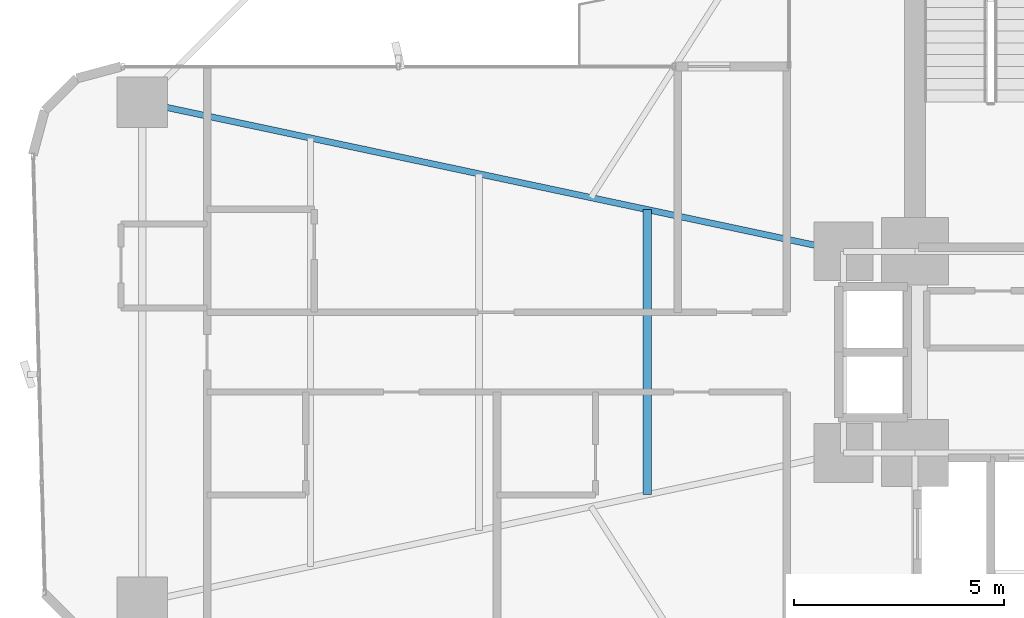
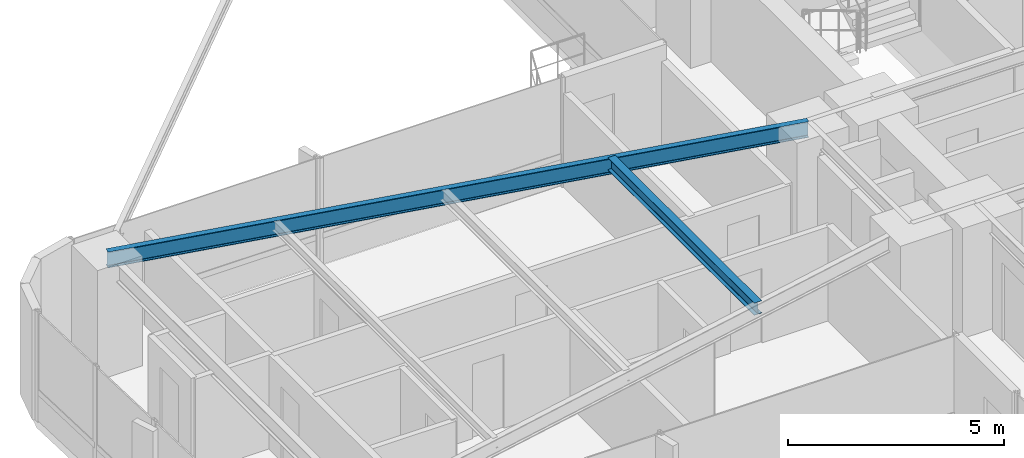
# One storey, part 9 of 26: 2 beams.
"""IFC4 building model written with IfcOpenShell, lengths in metres."""

from ifc_helpers import new_model, si_unit, direction, frame, origin, origin_2d, place, context, subcontext, project, spatial, i_section, extrude, source, transform, mapped, material, material_profile, profile_set, type_object, element, save


model = new_model("IFC4")

# Units and contexts
model_context = context("Model", 3, precision=1e-05, world=origin(), true_north=direction((0.0, 1.0)))
body_context = subcontext(model_context, "Body", "Model", "MODEL_VIEW")
ifc_project = project(units=[si_unit("LENGTHUNIT", "METRE"), si_unit("AREAUNIT", "SQUARE_METRE"), si_unit("VOLUMEUNIT", "CUBIC_METRE"), si_unit("PLANEANGLEUNIT", "RADIAN"), si_unit("MASSUNIT", "GRAM", prefix="KILO")], contexts=[model_context])

# Site, building, storey
site_placement = place(None, origin())
site = spatial("IfcSite", under=ifc_project, at=site_placement, CompositionType="ELEMENT")
building_placement = place(site_placement, origin())
building = spatial("IfcBuilding", under=site, at=building_placement, Name="Sahyath Konkavel Grand Hotel", CompositionType="ELEMENT")
storey_placement = place(building_placement, frame((0.0, 0.0, 26.449951171875)))
storey = spatial("IfcBuildingStorey", under=building, at=storey_placement, Name="L06", CompositionType="ELEMENT", Elevation=26.449951171875)

# Beams
ifc_material = material(Name="Steel E350", Category="steel")
ifc_material_profile_1 = material_profile(ifc_material, i_section(OverallWidth=0.14990234375, OverallDepth=0.449951171875, WebThickness=0.009521484375, FlangeThickness=0.017333984375, FilletRadius=0.014892578125, at=origin_2d()), Name="ISMB 450")
ifc_profile_set_1 = profile_set([ifc_material_profile_1], Name="Steel E350")
beam_type_1 = type_object("IfcBeamType", Name="BM-ISMB450", PredefinedType="BEAM", material=ifc_profile_set_1)
shared_shape_1 = source(origin(), body_context, "Body", "SweptSolid", [
    extrude(i_section(OverallWidth=0.14990234375, OverallDepth=0.449951171875, WebThickness=0.009521484375, FlangeThickness=0.017333984375, FilletRadius=0.014892578125, at=origin_2d()), origin(), (0.0, 0.0, 1.0), 17.072998046875),
])
beam_1_placement = place(storey_placement, frame((-5.5, 2.39990234375, 2.885009765625), z_axis=(-0.978143257225, 0.20793212437, 0.0), x_axis=(-0.20793212437, -0.978143257225, 0.0)))
element("IfcBeam", 1, at=beam_1_placement, inside=storey, type_object=beam_type_1, Name="L06 Cruciform Radial Girder WA", PredefinedType="BEAM", context=body_context, shape_type="MappedRepresentation", body=[
    mapped(shared_shape_1, transform((0.0, 0.0, 0.0), scale=1.0)),
])
ifc_material_profile_2 = material_profile(ifc_material, i_section(OverallWidth=0.199951171875, OverallDepth=0.35009765625, WebThickness=0.008056640625, FlangeThickness=0.011474609375, FilletRadius=0.013916015625, at=origin_2d()), Name="ISWB 350")
ifc_profile_set_2 = profile_set([ifc_material_profile_2], Name="Steel E350")
beam_type_2 = type_object("IfcBeamType", Name="BM-ISWB350", PredefinedType="BEAM", material=ifc_profile_set_2)
shared_shape_2 = source(origin(), body_context, "Body", "SweptSolid", [
    extrude(i_section(OverallWidth=0.199951171875, OverallDepth=0.35009765625, WebThickness=0.008056640625, FlangeThickness=0.011474609375, FilletRadius=0.013916015625, at=origin_2d()), origin(), (0.0, 0.0, 1.0), 6.7880859375),
])
beam_2_placement = place(storey_placement, frame((-10.176025390625, 3.39404296875, 2.93505859375), z_axis=(0.0, -1.0, 0.0), x_axis=(1.0, 0.0, 0.0)))
element("IfcBeam", 2, at=beam_2_placement, inside=storey, type_object=beam_type_2, Name="L06 Secondary Floor Beam W-1", PredefinedType="BEAM", context=body_context, shape_type="MappedRepresentation", body=[
    mapped(shared_shape_2, transform((0.0, 0.0, 0.0), scale=1.0)),
])

save(model, "model.ifc")
